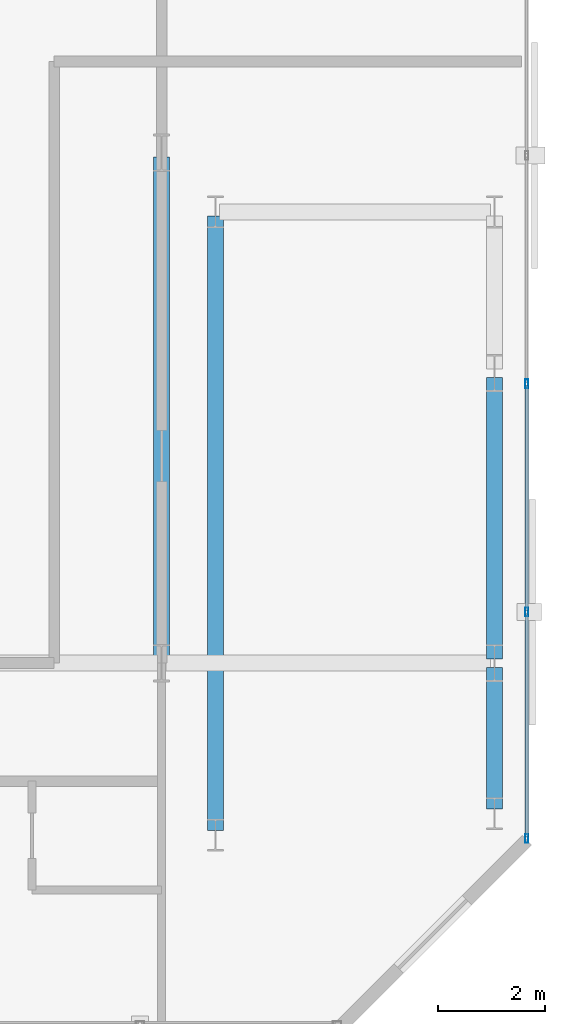
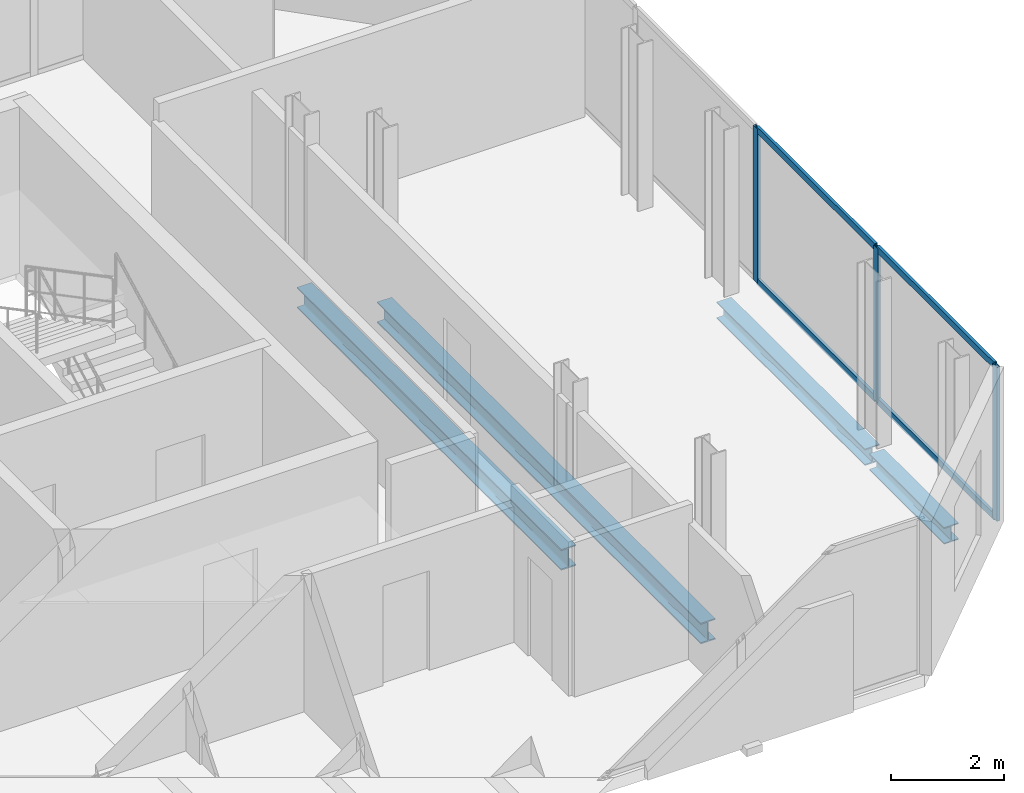
# One storey, part 16 of 32: 7 members, 4 beams, 1 element without a shape of its own.
"""IFC4 building model written with IfcOpenShell, lengths in metres."""

from ifc_helpers import new_model, si_unit, direction, frame, origin, origin_2d, place, context, subcontext, project, spatial, hollow_rectangle, i_section, extrude, material, layer, layer_set, material_profile, profile_set, type_object, element, aggregate, save


model = new_model("IFC4")

# Units and contexts
model_context = context("Model", 3, precision=1e-05, world=origin(), true_north=direction((0.0, 1.0)))
body_context = subcontext(model_context, "Body", "Model", "MODEL_VIEW")
ifc_project = project(units=[si_unit("LENGTHUNIT", "METRE"), si_unit("AREAUNIT", "SQUARE_METRE"), si_unit("VOLUMEUNIT", "CUBIC_METRE"), si_unit("PLANEANGLEUNIT", "RADIAN"), si_unit("MASSUNIT", "GRAM", prefix="KILO")], contexts=[model_context])

# Site, building, storey
site_placement = place(None, origin())
site = spatial("IfcSite", under=ifc_project, at=site_placement, CompositionType="ELEMENT")
building_placement = place(site_placement, origin())
building = spatial("IfcBuilding", under=site, at=building_placement, Name="Catumbela Crestline Tower", CompositionType="ELEMENT")
storey_placement = place(building_placement, frame((0.0, 0.0, 133.2)))
storey = spatial("IfcBuildingStorey", under=building, at=storey_placement, Name="L34", CompositionType="ELEMENT", Elevation=133.2)

# Beams
ifc_material_1 = material(Name="Structural steel S355J2", Category="steel")
ifc_material_profile_1 = material_profile(ifc_material_1, i_section(OverallWidth=0.3, OverallDepth=0.45, WebThickness=0.014, FlangeThickness=0.026, FilletRadius=0.027, at=origin_2d()), Name="HEB 450")
ifc_profile_set_1 = profile_set([ifc_material_profile_1], Name="Structural steel S355J2")
beam_type_1 = type_object("IfcBeamType", Name="BG-HEB450", PredefinedType="BEAM", material=ifc_profile_set_1)
beam_1_placement = place(storey_placement, frame((44.2, 30.88, -0.485), z_axis=(0.0, 1.0, 0.0), x_axis=(-1.0, 0.0, 0.0)))
element("IfcBeam", 1, at=beam_1_placement, inside=storey, type_object=beam_type_1, Name="L34 Beam BM-L34-SN32", PredefinedType="BEAM", context=body_context, shape_type="SweptSolid", body=[
    extrude(i_section(OverallWidth=0.3, OverallDepth=0.45, WebThickness=0.014, FlangeThickness=0.026, FilletRadius=0.027, at=origin_2d()), origin(), (0.0, 0.0, 1.0), 9.34),
])
beam_2_placement = place(storey_placement, frame((45.2, 27.68, -0.485), z_axis=(0.0, 1.0, 0.0), x_axis=(-1.0, 0.0, 0.0)))
element("IfcBeam", 2, at=beam_2_placement, inside=storey, type_object=beam_type_1, Name="L34 Beam BM-L34-SN33", PredefinedType="BEAM", context=body_context, shape_type="SweptSolid", body=[
    extrude(i_section(OverallWidth=0.3, OverallDepth=0.45, WebThickness=0.014, FlangeThickness=0.026, FilletRadius=0.027, at=origin_2d()), origin(), (0.0, 0.0, 1.0), 11.44),
])

# Curtain wall, members
ifc_material_2 = material(Name="Aluminium alloy AW-6060-T66", Category="aluminium")
ifc_layer = layer(ifc_material_2, 0.18, Name="Aluminium alloy AW-6060-T66")
ifc_layer_set = layer_set([ifc_layer], Name="Aluminium alloy AW-6060-T66")
curtain_wall_type = type_object("IfcCurtainWallType", Name="CWU-Z2", PredefinedType="USERDEFINED", material=ifc_layer_set)
curtain_wall_placement = place(storey_placement, origin())
curtain_wall = element("IfcCurtainWall", 3, at=curtain_wall_placement, inside=storey, type_object=curtain_wall_type, Name="L34 Unitised Curtain Wall CW-L34-E5S1", ObjectType="UNITISED", PredefinedType="USERDEFINED")
ifc_material_profile_2 = material_profile(ifc_material_2, hollow_rectangle(XDim=0.06, YDim=0.16, WallThickness=0.004, at=origin_2d()), Name="ALU 160x60x4")
ifc_profile_set_2 = profile_set([ifc_material_profile_2], Name="Aluminium alloy AW-6060-T66")
member_type_1 = type_object("IfcMemberType", Name="MUL-160X60", PredefinedType="MULLION", material=ifc_profile_set_2)
member_1_placement = place(storey_placement, frame((51.0, 27.5325, 0.0), z_axis=(0.0, 0.0, 1.0), x_axis=(-1.0, 0.0, 0.0)))
member_1 = element("IfcMember", 4, at=member_1_placement, type_object=member_type_1, Name="CWU-Z2 mullion 1", PredefinedType="MULLION", context=body_context, shape_type="SweptSolid", body=[
    extrude(hollow_rectangle(XDim=0.06, YDim=0.16, WallThickness=0.004, at=origin_2d()), origin(), (0.0, 0.0, 1.0), 3.33),
])
member_2_placement = place(storey_placement, frame((51.0, 31.75, 0.0), z_axis=(0.0, 0.0, 1.0), x_axis=(-1.0, 0.0, 0.0)))
member_2 = element("IfcMember", 5, at=member_2_placement, type_object=member_type_1, Name="CWU-Z2 mullion 2", PredefinedType="MULLION", context=body_context, shape_type="SweptSolid", body=[
    extrude(hollow_rectangle(XDim=0.06, YDim=0.16, WallThickness=0.004, at=origin_2d()), origin(), (0.0, 0.0, 1.0), 3.33),
])
member_3_placement = place(storey_placement, frame((51.0, 36.0, 0.0), z_axis=(0.0, 0.0, 1.0), x_axis=(-1.0, 0.0, 0.0)))
member_3 = element("IfcMember", 6, at=member_3_placement, type_object=member_type_1, Name="CWU-Z2 mullion 3", PredefinedType="MULLION", context=body_context, shape_type="SweptSolid", body=[
    extrude(hollow_rectangle(XDim=0.06, YDim=0.16, WallThickness=0.004, at=origin_2d()), origin(), (0.0, 0.0, 1.0), 3.33),
])

# Beams
ifc_material_profile_3 = material_profile(ifc_material_1, i_section(OverallWidth=0.3, OverallDepth=0.36, WebThickness=0.0125, FlangeThickness=0.0225, FilletRadius=0.027, at=origin_2d()), Name="HEB 360")
ifc_profile_set_3 = profile_set([ifc_material_profile_3], Name="Structural steel S355J2")
beam_type_2 = type_object("IfcBeamType", Name="BS-HEB360", PredefinedType="SPANDREL", material=ifc_profile_set_3)
beam_3_placement = place(storey_placement, frame((50.4, 28.08, -0.44), z_axis=(0.0, 1.0, 0.0), x_axis=(-1.0, 0.0, 0.0)))
element("IfcBeam", 7, at=beam_3_placement, inside=storey, type_object=beam_type_2, Name="L34 Spandrel SP-L34-SN34", PredefinedType="SPANDREL", context=body_context, shape_type="SweptSolid", body=[
    extrude(i_section(OverallWidth=0.3, OverallDepth=0.36, WebThickness=0.0125, FlangeThickness=0.0225, FilletRadius=0.027, at=origin_2d()), origin(), (0.0, 0.0, 1.0), 2.64),
])
beam_4_placement = place(storey_placement, frame((50.4, 30.88, -0.44), z_axis=(0.0, 1.0, 0.0), x_axis=(-1.0, 0.0, 0.0)))
element("IfcBeam", 8, at=beam_4_placement, inside=storey, type_object=beam_type_2, Name="L34 Spandrel SP-L34-SN35", PredefinedType="SPANDREL", context=body_context, shape_type="SweptSolid", body=[
    extrude(i_section(OverallWidth=0.3, OverallDepth=0.36, WebThickness=0.0125, FlangeThickness=0.0225, FilletRadius=0.027, at=origin_2d()), origin(), (0.0, 0.0, 1.0), 5.24),
])

# Member
ifc_material_profile_4 = material_profile(ifc_material_2, hollow_rectangle(XDim=0.06, YDim=0.14, WallThickness=0.004, at=origin_2d()), Name="ALU 140x60x4")
ifc_profile_set_4 = profile_set([ifc_material_profile_4], Name="Aluminium alloy AW-6060-T66")
member_type_2 = type_object("IfcMemberType", Name="TRN-140X60", PredefinedType="USERDEFINED", material=ifc_profile_set_4)
member_4_placement = place(storey_placement, frame((51.0, 27.565, 0.03), z_axis=(0.0, 1.0, 0.0), x_axis=(-1.0, 0.0, 0.0)))
member_4 = element("IfcMember", 9, at=member_4_placement, type_object=member_type_2, Name="CWU-Z2 transom 1.1", ObjectType="TRANSOM", PredefinedType="USERDEFINED", context=body_context, shape_type="SweptSolid", body=[
    extrude(hollow_rectangle(XDim=0.06, YDim=0.14, WallThickness=0.004, at=origin_2d()), origin(), (0.0, 0.0, 1.0), 4.1525),
])

member_5_placement = place(storey_placement, frame((51.0, 27.565, 3.3), z_axis=(0.0, 1.0, 0.0), x_axis=(-1.0, 0.0, 0.0)))
member_5 = element("IfcMember", 10, at=member_5_placement, type_object=member_type_2, Name="CWU-Z2 transom 1.2", ObjectType="TRANSOM", PredefinedType="USERDEFINED", context=body_context, shape_type="SweptSolid", body=[
    extrude(hollow_rectangle(XDim=0.06, YDim=0.14, WallThickness=0.004, at=origin_2d()), origin(), (0.0, 0.0, 1.0), 4.1525),
])

member_6_placement = place(storey_placement, frame((51.0, 31.7825, 0.03), z_axis=(0.0, 1.0, 0.0), x_axis=(-1.0, 0.0, 0.0)))
member_6 = element("IfcMember", 11, at=member_6_placement, type_object=member_type_2, Name="CWU-Z2 transom 2.1", ObjectType="TRANSOM", PredefinedType="USERDEFINED", context=body_context, shape_type="SweptSolid", body=[
    extrude(hollow_rectangle(XDim=0.06, YDim=0.14, WallThickness=0.004, at=origin_2d()), origin(), (0.0, 0.0, 1.0), 4.185),
])

member_7_placement = place(storey_placement, frame((51.0, 31.7825, 3.3), z_axis=(0.0, 1.0, 0.0), x_axis=(-1.0, 0.0, 0.0)))
member_7 = element("IfcMember", 12, at=member_7_placement, type_object=member_type_2, Name="CWU-Z2 transom 2.2", ObjectType="TRANSOM", PredefinedType="USERDEFINED", context=body_context, shape_type="SweptSolid", body=[
    extrude(hollow_rectangle(XDim=0.06, YDim=0.14, WallThickness=0.004, at=origin_2d()), origin(), (0.0, 0.0, 1.0), 4.185),
])

aggregate(curtain_wall, [member_1, member_2, member_3, member_4, member_5, member_6, member_7])

save(model, "model.ifc")
